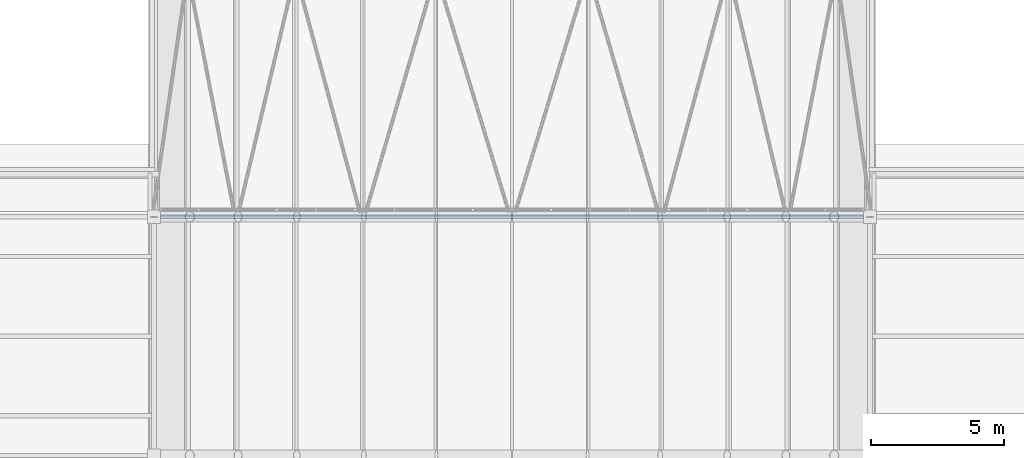
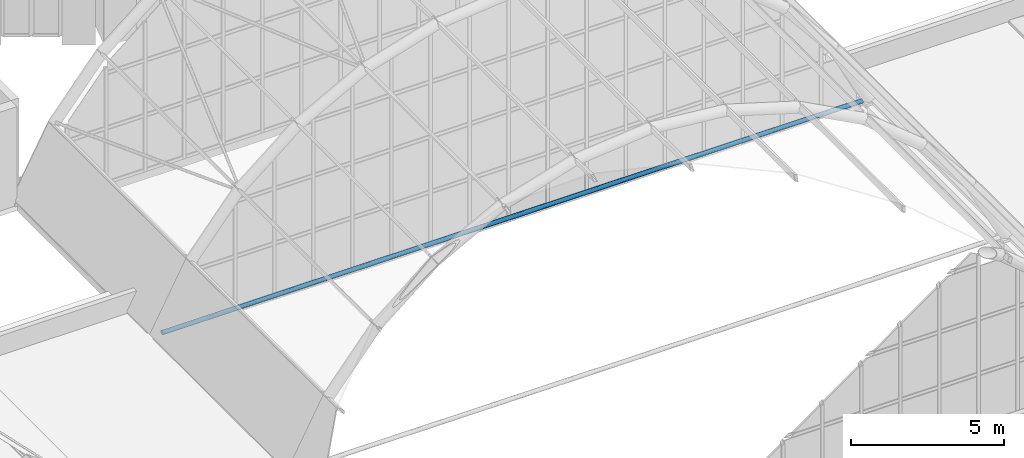
# One storey, part 42 of 121: 1 member.
"""IFC4 building model written with IfcOpenShell, lengths in metres."""

from ifc_helpers import new_model, si_unit, direction, frame, origin, origin_2d, place, context, subcontext, project, spatial, hollow_circle, extrude, material, material_profile, profile_set, type_object, element, save


model = new_model("IFC4")

# Units and contexts
model_context = context("Model", 3, precision=1e-05, world=origin(), true_north=direction((0.0, 1.0)))
body_context = subcontext(model_context, "Body", "Model", "MODEL_VIEW")
ifc_project = project(units=[si_unit("LENGTHUNIT", "METRE"), si_unit("AREAUNIT", "SQUARE_METRE"), si_unit("VOLUMEUNIT", "CUBIC_METRE"), si_unit("PLANEANGLEUNIT", "RADIAN"), si_unit("MASSUNIT", "GRAM", prefix="KILO")], contexts=[model_context])

# Site, building, storey
site_placement = place(None, origin())
site = spatial("IfcSite", under=ifc_project, at=site_placement, CompositionType="ELEMENT")
building_placement = place(site_placement, origin())
building = spatial("IfcBuilding", under=site, at=building_placement, Name="Golden Quay Civic Hall", CompositionType="ELEMENT")
storey_placement = place(building_placement, frame((0.0, 0.0, 18.60009765625)))
storey = spatial("IfcBuildingStorey", under=building, at=storey_placement, Name="L04", CompositionType="ELEMENT", Elevation=18.60009765625)

# Member
ifc_material = material(Name="Steel S355", Category="steel")
ifc_material_profile = material_profile(ifc_material, hollow_circle(Radius=0.084228515625, WallThickness=0.008056640625, at=origin_2d()), Name="CHS 168.3x8")
ifc_profile_set = profile_set([ifc_material_profile], Name="Steel S355")
member_type = type_object("IfcMemberType", Name="Steel tie rod CHS 168.3x8", PredefinedType="USERDEFINED", material=ifc_profile_set)
member_placement = place(storey_placement, frame((72.25, 54.0, 0.099853515625), z_axis=(1.0, 0.0, 0.0), x_axis=(0.0, 1.0, 0.0)))
element("IfcMember", 1, at=member_placement, inside=storey, type_object=member_type, Name="Springing tie 7", ObjectType="TIE ROD", PredefinedType="USERDEFINED", context=body_context, shape_type="SweptSolid", body=[
    extrude(hollow_circle(Radius=0.084228515625, WallThickness=0.008056640625, at=origin_2d()), origin(), (0.0, 0.0, 1.0), 26.5),
])

save(model, "model.ifc")
